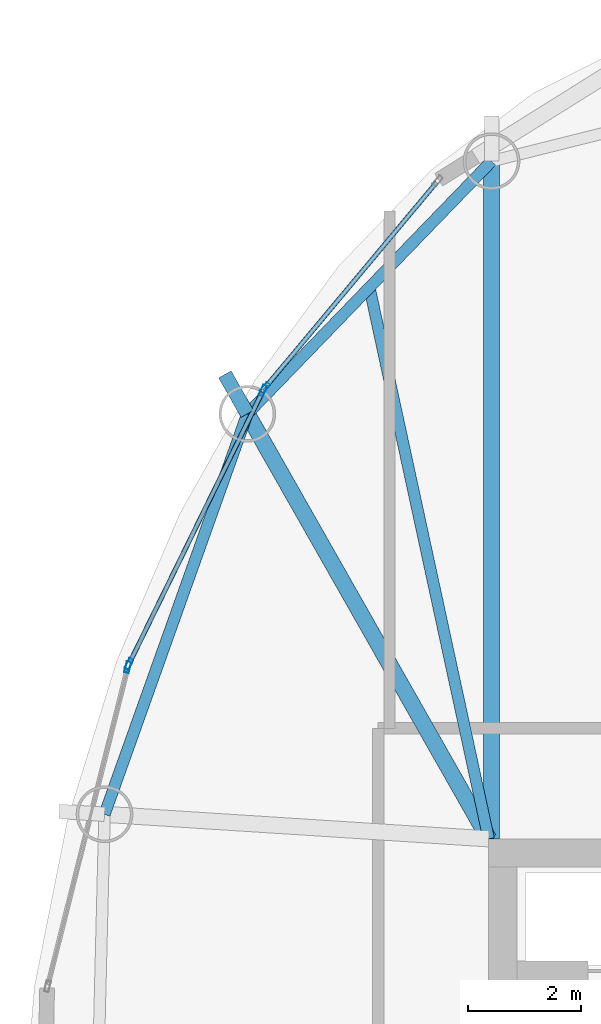
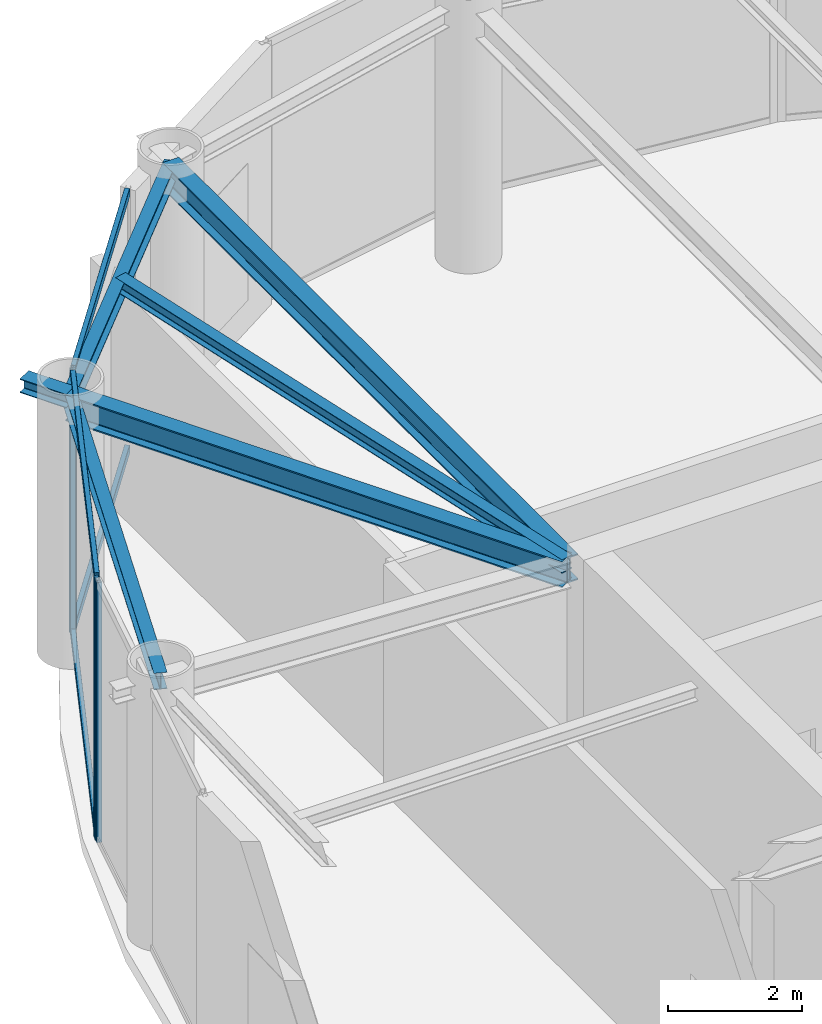
# One storey, part 12 of 23: 8 members, 6 beams, 3 elements without a shape of their own.
"""IFC4 building model written with IfcOpenShell, lengths in metres."""

from ifc_helpers import new_model, si_unit, direction, frame, origin, origin_2d, place, context, subcontext, project, spatial, hollow_rectangle, i_section, extrude, material, layer, layer_set, material_profile, profile_set, type_object, element, aggregate, save


model = new_model("IFC4")

# Units and contexts
model_context = context("Model", 3, precision=1e-05, world=origin(), true_north=direction((0.0, 1.0)))
body_context = subcontext(model_context, "Body", "Model", "MODEL_VIEW")
ifc_project = project(units=[si_unit("LENGTHUNIT", "METRE"), si_unit("AREAUNIT", "SQUARE_METRE"), si_unit("VOLUMEUNIT", "CUBIC_METRE"), si_unit("PLANEANGLEUNIT", "RADIAN"), si_unit("MASSUNIT", "GRAM", prefix="KILO")], contexts=[model_context])

# Site, building, storey
site_placement = place(None, origin())
site = spatial("IfcSite", under=ifc_project, at=site_placement, CompositionType="ELEMENT")
building_placement = place(site_placement, origin())
building = spatial("IfcBuilding", under=site, at=building_placement, Name="Bramvorn Convention Spire", CompositionType="ELEMENT")
storey_placement = place(building_placement, frame((0.0, 0.0, 307.5)))
storey = spatial("IfcBuildingStorey", under=building, at=storey_placement, Name="L78", CompositionType="ELEMENT", Elevation=307.5)

# Beams
ifc_material_1 = material(Name="Steel CSA G40.21 Grade 350 (350W)", Category="steel")
ifc_material_profile_1 = material_profile(ifc_material_1, i_section(OverallWidth=0.201904296875, OverallDepth=0.2470703125, WebThickness=0.00732421875, FlangeThickness=0.010986328125, FilletRadius=0.011962890625, at=origin_2d()))
ifc_profile_set_1 = profile_set([ifc_material_profile_1], Name="Steel CSA G40.21 Grade 350 (350W) - W250X49")
beam_type_1 = type_object("IfcBeamType", Name="BM-W250X49", PredefinedType="JOIST", material=ifc_profile_set_1)
beam_1_placement = place(storey_placement, frame((26.75, 33.449951171875, 4.62646484375), z_axis=(-0.211461445939, 0.977386339623, 0.0), x_axis=(-0.977386339623, -0.211461445939, 0.0)))
element("IfcBeam", 1, at=beam_1_placement, inside=storey, type_object=beam_type_1, Name="L78 composite floor joist 09", PredefinedType="JOIST", context=body_context, shape_type="SweptSolid", body=[
    extrude(i_section(OverallWidth=0.201904296875, OverallDepth=0.2470703125, WebThickness=0.00732421875, FlangeThickness=0.010986328125, FilletRadius=0.011962890625, at=origin_2d()), origin(), (0.0, 0.0, 1.0), 9.9462890625),
])
ifc_material_profile_2 = material_profile(ifc_material_1, i_section(OverallWidth=0.25390625, OverallDepth=0.2529296875, WebThickness=0.008544921875, FlangeThickness=0.01416015625, FilletRadius=0.011962890625, at=origin_2d()))
ifc_profile_set_2 = profile_set([ifc_material_profile_2], Name="Steel CSA G40.21 Grade 350 (350W) - W250X73")
beam_type_2 = type_object("IfcBeamType", Name="BM-W250X73", PredefinedType="BEAM", material=ifc_profile_set_2)
beam_2_placement = place(storey_placement, frame((22.49365234375, 40.94384765625, 4.62353515625), z_axis=(-0.494067079829, 0.869423786556, 0.0), x_axis=(-0.869423786556, -0.494067079829, 0.0)))
element("IfcBeam", 2, at=beam_2_placement, inside=storey, type_object=beam_type_2, Name="L78 slab-edge cantilever tip beam MC10", PredefinedType="BEAM", context=body_context, shape_type="SweptSolid", body=[
    extrude(i_section(OverallWidth=0.25390625, OverallDepth=0.2529296875, WebThickness=0.008544921875, FlangeThickness=0.01416015625, FilletRadius=0.011962890625, at=origin_2d()), origin(), (0.0, 0.0, 1.0), 0.800048828125),
])
ifc_material_profile_3 = material_profile(ifc_material_1, i_section(OverallWidth=0.202880859375, OverallDepth=0.302978515625, WebThickness=0.007568359375, FlangeThickness=0.01318359375, FilletRadius=0.013916015625, at=origin_2d()))
ifc_profile_set_3 = profile_set([ifc_material_profile_3], Name="Steel CSA G40.21 Grade 350 (350W) - W310X60")
beam_type_3 = type_object("IfcBeamType", Name="BM-W310X60", PredefinedType="JOIST", material=ifc_profile_set_3)
beam_3_placement = place(storey_placement, frame((26.800048828125, 45.39892578125, 4.598388671875), z_axis=(-0.695007159797, -0.719002814898, 0.0), x_axis=(0.719002814898, -0.695007159797, 0.0)))
element("IfcBeam", 3, at=beam_3_placement, inside=storey, type_object=beam_type_3, Name="L78 mega-column ring beam 09", PredefinedType="JOIST", context=body_context, shape_type="SweptSolid", body=[
    extrude(i_section(OverallWidth=0.202880859375, OverallDepth=0.302978515625, WebThickness=0.007568359375, FlangeThickness=0.01318359375, FilletRadius=0.013916015625, at=origin_2d()), origin(), (0.0, 0.0, 1.0), 6.1962890625),
])
beam_4_placement = place(storey_placement, frame((22.49365234375, 40.94384765625, 4.598388671875), z_axis=(-0.335839090413, -0.941919373063, 0.0), x_axis=(0.941919373063, -0.335839090413, 0.0)))
element("IfcBeam", 4, at=beam_4_placement, inside=storey, type_object=beam_type_3, Name="L78 mega-column ring beam 10", PredefinedType="JOIST", context=body_context, shape_type="SweptSolid", body=[
    extrude(i_section(OverallWidth=0.202880859375, OverallDepth=0.302978515625, WebThickness=0.007568359375, FlangeThickness=0.01318359375, FilletRadius=0.013916015625, at=origin_2d()), origin(), (0.0, 0.0, 1.0), 7.49560546875),
])
ifc_material_profile_4 = material_profile(ifc_material_1, i_section(OverallWidth=0.283935546875, OverallDepth=0.47607421875, WebThickness=0.014892578125, FlangeThickness=0.02392578125, FilletRadius=0.01806640625, at=origin_2d()))
ifc_profile_set_4 = profile_set([ifc_material_profile_4], Name="Steel CSA G40.21 Grade 350 (350W) - W460X158")
beam_type_4 = type_object("IfcBeamType", Name="BM-W460X158", PredefinedType="SPANDREL", material=ifc_profile_set_4)
beam_5_placement = place(storey_placement, frame((26.800048828125, 33.449951171875, 4.511962890625), z_axis=(0.0, 1.0, 0.0), x_axis=(-1.0, 0.0, 0.0)))
element("IfcBeam", 5, at=beam_5_placement, inside=storey, type_object=beam_type_4, Name="L78 radial floor girder MC09", PredefinedType="SPANDREL", context=body_context, shape_type="SweptSolid", body=[
    extrude(i_section(OverallWidth=0.283935546875, OverallDepth=0.47607421875, WebThickness=0.014892578125, FlangeThickness=0.02392578125, FilletRadius=0.01806640625, at=origin_2d()), origin(), (0.0, 0.0, 1.0), 11.948974609375),
])
beam_6_placement = place(storey_placement, frame((26.75, 33.449951171875, 4.511962890625), z_axis=(-0.493873612118, 0.869533699895, 0.0), x_axis=(-0.869533699895, -0.493873612118, 0.0)))
element("IfcBeam", 6, at=beam_6_placement, inside=storey, type_object=beam_type_4, Name="L78 radial floor girder MC10", PredefinedType="SPANDREL", context=body_context, shape_type="SweptSolid", body=[
    extrude(i_section(OverallWidth=0.283935546875, OverallDepth=0.47607421875, WebThickness=0.014892578125, FlangeThickness=0.02392578125, FilletRadius=0.01806640625, at=origin_2d()), origin(), (0.0, 0.0, 1.0), 8.618408203125),
])

# Curtain wall, member
ifc_material_2 = material(Name="Anodised Bronze Unitised Curtain Wall", Category="aluminium")
ifc_layer = layer(ifc_material_2, 0.199951171875)
ifc_layer_set = layer_set([ifc_layer], Name="Anodised Bronze Unitised Curtain Wall - CW-PLANT-LOUVRE")
curtain_wall_type = type_object("IfcCurtainWallType", Name="CW-PLANT-LOUVRE", PredefinedType="USERDEFINED", material=ifc_layer_set)
curtain_wall_1_placement = place(storey_placement, origin())
curtain_wall_1 = element("IfcCurtainWall", 7, at=curtain_wall_1_placement, inside=storey, type_object=curtain_wall_type, Name="L78 fritted glass curtain wall 14", ObjectType="UNITISED CURTAIN WALL", PredefinedType="USERDEFINED")
ifc_material_3 = material(Name="Anodised Bronze Aluminium 6063-T6", Category="aluminium")
ifc_material_profile_5 = material_profile(ifc_material_3, hollow_rectangle(XDim=0.080078125, YDim=0.199951171875, WallThickness=0.00390625, InnerFilletRadius=0.0009765625, OuterFilletRadius=0.00390625, at=origin_2d()))
ifc_profile_set_5 = profile_set([ifc_material_profile_5], Name="Anodised Bronze Aluminium 6063-T6 - CWM80X200")
member_type_1 = type_object("IfcMemberType", Name="CW-MUL-180", PredefinedType="MULLION", material=ifc_profile_set_5)
member_1_placement = place(storey_placement, frame((22.802734375, 41.40283203125, 0.0), z_axis=(0.0, 0.0, 1.0), x_axis=(-0.767206496733, 0.641400180364, 0.0)))
member_1 = element("IfcMember", 8, at=member_1_placement, type_object=member_type_1, Name="CW5 mullion 1", PredefinedType="MULLION", context=body_context, shape_type="SweptSolid", body=[
    extrude(hollow_rectangle(XDim=0.080078125, YDim=0.199951171875, WallThickness=0.00390625, InnerFilletRadius=0.0009765625, OuterFilletRadius=0.00390625, at=origin_2d()), origin(), (0.0, 0.0, 1.0), 4.75),
])

# Curtain wall, members
curtain_wall_2_placement = place(storey_placement, origin())
curtain_wall_2 = element("IfcCurtainWall", 9, at=curtain_wall_2_placement, inside=storey, type_object=curtain_wall_type, Name="L78 fritted glass curtain wall 15", ObjectType="UNITISED CURTAIN WALL", PredefinedType="USERDEFINED")
member_2_placement = place(storey_placement, frame((20.40771484375, 36.532958984375, 0.0), z_axis=(0.0, 0.0, 1.0), x_axis=(-0.897929432139, 0.440139449377, 0.0)))
member_2 = element("IfcMember", 10, at=member_2_placement, type_object=member_type_1, Name="CW5 mullion 1", PredefinedType="MULLION", context=body_context, shape_type="SweptSolid", body=[
    extrude(hollow_rectangle(XDim=0.080078125, YDim=0.199951171875, WallThickness=0.00390625, InnerFilletRadius=0.0009765625, OuterFilletRadius=0.00390625, at=origin_2d()), origin(), (0.0, 0.0, 1.0), 4.75),
])
member_3_placement = place(storey_placement, frame((22.770263671875, 41.352783203125, 0.0), z_axis=(0.0, 0.0, 1.0), x_axis=(-0.897929432139, 0.440139449377, 0.0)))
member_3 = element("IfcMember", 11, at=member_3_placement, type_object=member_type_1, Name="CW5 mullion 2", PredefinedType="MULLION", context=body_context, shape_type="SweptSolid", body=[
    extrude(hollow_rectangle(XDim=0.080078125, YDim=0.199951171875, WallThickness=0.00390625, InnerFilletRadius=0.0009765625, OuterFilletRadius=0.00390625, at=origin_2d()), origin(), (0.0, 0.0, 1.0), 4.75),
])

# Curtain wall, member
curtain_wall_3_placement = place(storey_placement, origin())
curtain_wall_3 = element("IfcCurtainWall", 12, at=curtain_wall_3_placement, inside=storey, type_object=curtain_wall_type, Name="L78 fritted glass curtain wall 16", ObjectType="UNITISED CURTAIN WALL", PredefinedType="USERDEFINED")
member_4_placement = place(storey_placement, frame((20.38720703125, 36.47705078125, 0.0), z_axis=(0.0, 0.0, 1.0), x_axis=(-0.969797329176, 0.243912156981, 0.0)))
member_4 = element("IfcMember", 13, at=member_4_placement, type_object=member_type_1, Name="CW5 mullion 2", PredefinedType="MULLION", context=body_context, shape_type="SweptSolid", body=[
    extrude(hollow_rectangle(XDim=0.080078125, YDim=0.199951171875, WallThickness=0.00390625, InnerFilletRadius=0.0009765625, OuterFilletRadius=0.00390625, at=origin_2d()), origin(), (0.0, 0.0, 1.0), 4.75),
])
aggregate(curtain_wall_3, [member_4])

# Member
ifc_material_profile_6 = material_profile(ifc_material_3, hollow_rectangle(XDim=0.080078125, YDim=0.159912109375, WallThickness=0.00390625, InnerFilletRadius=0.0009765625, OuterFilletRadius=0.00390625, at=origin_2d()))
ifc_profile_set_6 = profile_set([ifc_material_profile_6], Name="Anodised Bronze Aluminium 6063-T6 - CWT80X160")
member_type_2 = type_object("IfcMemberType", Name="CW-TRN-150", PredefinedType="USERDEFINED", material=ifc_profile_set_6)
member_5_placement = place(storey_placement, frame((22.82177734375, 41.42578125, 0.030029296875), z_axis=(0.641402057215, 0.767204927643, 0.0), x_axis=(-0.767204927643, 0.641402057215, 0.0)))
member_5 = element("IfcMember", 14, at=member_5_placement, type_object=member_type_2, Name="CW5 transom 1.1", ObjectType="TRANSOM", PredefinedType="USERDEFINED", context=body_context, shape_type="SweptSolid", body=[
    extrude(hollow_rectangle(XDim=0.080078125, YDim=0.159912109375, WallThickness=0.00390625, InnerFilletRadius=0.0009765625, OuterFilletRadius=0.00390625, at=origin_2d()), origin(), (0.0, 0.0, 1.0), 4.690673828125),
])

member_6_placement = place(storey_placement, frame((22.82177734375, 41.42578125, 4.719970703125), z_axis=(0.641402057215, 0.767204927643, 0.0), x_axis=(-0.767204927643, 0.641402057215, 0.0)))
member_6 = element("IfcMember", 15, at=member_6_placement, type_object=member_type_2, Name="CW5 transom 1.2", ObjectType="TRANSOM", PredefinedType="USERDEFINED", context=body_context, shape_type="SweptSolid", body=[
    extrude(hollow_rectangle(XDim=0.080078125, YDim=0.159912109375, WallThickness=0.00390625, InnerFilletRadius=0.0009765625, OuterFilletRadius=0.00390625, at=origin_2d()), origin(), (0.0, 0.0, 1.0), 4.690673828125),
])

aggregate(curtain_wall_1, [member_1, member_5, member_6])

member_7_placement = place(storey_placement, frame((20.4208984375, 36.56005859375, 0.030029296875), z_axis=(0.440152853929, 0.897922861485, 0.0), x_axis=(-0.897922861485, 0.440152853929, 0.0)))
member_7 = element("IfcMember", 16, at=member_7_placement, type_object=member_type_2, Name="CW5 transom 1.1", ObjectType="TRANSOM", PredefinedType="USERDEFINED", context=body_context, shape_type="SweptSolid", body=[
    extrude(hollow_rectangle(XDim=0.080078125, YDim=0.159912109375, WallThickness=0.00390625, InnerFilletRadius=0.0009765625, OuterFilletRadius=0.00390625, at=origin_2d()), origin(), (0.0, 0.0, 1.0), 5.3076171875),
])

member_8_placement = place(storey_placement, frame((20.4208984375, 36.56005859375, 4.719970703125), z_axis=(0.440152853929, 0.897922861485, 0.0), x_axis=(-0.897922861485, 0.440152853929, 0.0)))
member_8 = element("IfcMember", 17, at=member_8_placement, type_object=member_type_2, Name="CW5 transom 1.2", ObjectType="TRANSOM", PredefinedType="USERDEFINED", context=body_context, shape_type="SweptSolid", body=[
    extrude(hollow_rectangle(XDim=0.080078125, YDim=0.159912109375, WallThickness=0.00390625, InnerFilletRadius=0.0009765625, OuterFilletRadius=0.00390625, at=origin_2d()), origin(), (0.0, 0.0, 1.0), 5.3076171875),
])

aggregate(curtain_wall_2, [member_2, member_3, member_7, member_8])

save(model, "model.ifc")
